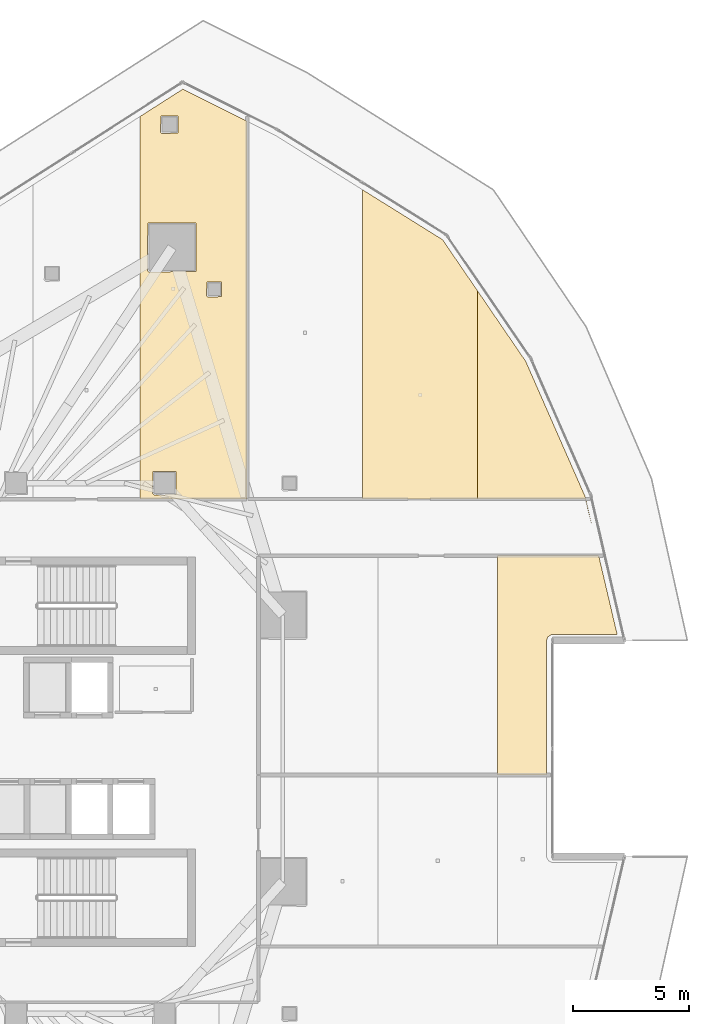
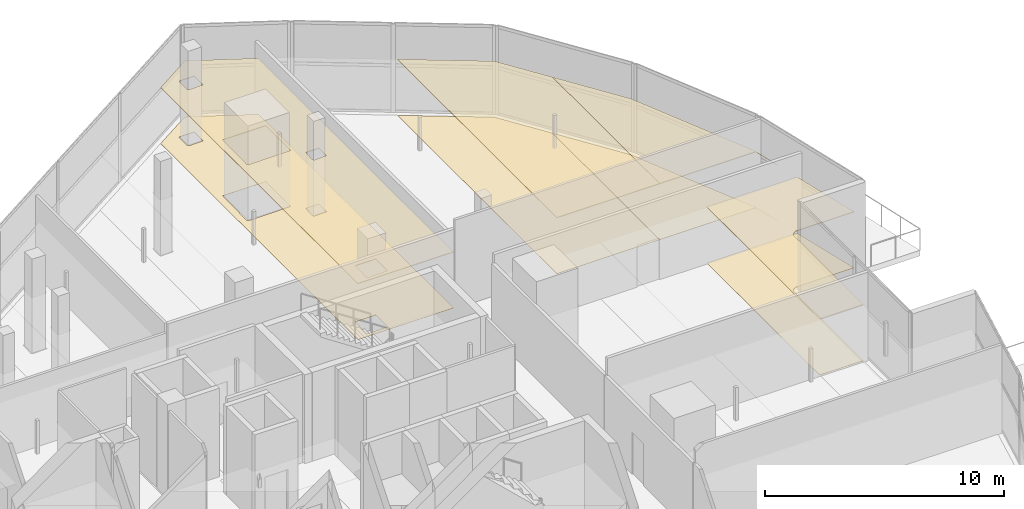
# One storey, part 35 of 36: 8 coverings.
"""IFC4 building model written with IfcOpenShell, lengths in metres."""

from ifc_helpers import new_model, si_unit, direction, frame, origin, place, context, subcontext, project, spatial, polyline, outline, extrude, material, layer, layer_set, type_object, element, save


model = new_model("IFC4")

# Units and contexts
model_context = context("Model", 3, precision=1e-05, world=origin(), true_north=direction((0.0, 1.0)))
body_context = subcontext(model_context, "Body", "Model", "MODEL_VIEW")
ifc_project = project(units=[si_unit("LENGTHUNIT", "METRE"), si_unit("AREAUNIT", "SQUARE_METRE"), si_unit("VOLUMEUNIT", "CUBIC_METRE"), si_unit("PLANEANGLEUNIT", "RADIAN"), si_unit("MASSUNIT", "GRAM", prefix="KILO")], contexts=[model_context])

# Site, building, storey
site_placement = place(None, origin())
site = spatial("IfcSite", under=ifc_project, at=site_placement, CompositionType="ELEMENT")
building_placement = place(site_placement, origin())
building = spatial("IfcBuilding", under=site, at=building_placement, Name="Qorvath Tower", CompositionType="ELEMENT")
storey_placement = place(building_placement, frame((0.0, 0.0, 180.0)))
storey = spatial("IfcBuildingStorey", under=building, at=storey_placement, Name="L41", CompositionType="ELEMENT", Elevation=180.0)

# Coverings
ifc_material_1 = material(Name="Acoustic mineral fibre ceiling tile", Category="gypsum")
ifc_layer_1 = layer(ifc_material_1, 0.030029296875)
ifc_layer_set_1 = layer_set([ifc_layer_1], Name="COV-CEIL")
covering_type_1 = type_object("IfcCoveringType", Name="COV-CEIL", PredefinedType="CEILING", material=ifc_layer_set_1)
covering_1_placement = place(storey_placement, frame((0.0, 0.0, 2.85009765625)))
element("IfcCovering", 1, at=covering_1_placement, inside=storey, type_object=covering_type_1, Name="L41 Suspended Acoustic Ceiling 015", PredefinedType="CEILING", context=body_context, shape_type="SweptSolid", body=[
    extrude(outline(polyline([(-18.25439453125, 27.275146484375), (-18.25439453125, 10.762939453125), (-13.6279296875, 10.762939453125), (-13.6279296875, 27.073974609375), (-16.400390625, 28.460205078125), (-18.25439453125, 27.275146484375)]), holes=[polyline([(-15.381103515625, 19.543212890625), (-15.363525390625, 20.135498046875), (-14.728759765625, 20.135498046875), (-14.728759765625, 19.500732421875), (-15.321044921875, 19.483154296875), (-15.381103515625, 19.543212890625)]), polyline([(-17.931640625, 20.627197265625), (-17.9140625, 22.66943359375), (-15.829345703125, 22.66943359375), (-15.829345703125, 20.584716796875), (-17.87158203125, 20.567138671875), (-17.931640625, 20.627197265625)]), polyline([(-17.3662109375, 26.604248046875), (-17.3486328125, 27.296630859375), (-16.61376953125, 27.296630859375), (-16.61376953125, 26.561767578125), (-17.30615234375, 26.544189453125), (-17.3662109375, 26.604248046875)]), polyline([(-17.7099609375, 11.0), (-17.6923828125, 11.9423828125), (-16.70751953125, 11.9423828125), (-16.70751953125, 10.95751953125), (-17.64990234375, 10.93994140625), (-17.7099609375, 11.0)])]), origin(), (0.0, 0.0, 1.0), 0.030029296875),
])
covering_2_placement = place(storey_placement, frame((0.0, 0.0, 2.85009765625)))
element("IfcCovering", 2, at=covering_2_placement, inside=storey, type_object=covering_type_1, Name="L41 Suspended Acoustic Ceiling 017", PredefinedType="CEILING", context=body_context, shape_type="SweptSolid", body=[
    extrude(outline(polyline([(-3.673583984375, 10.762939453125), (-3.673583984375, 19.73779296875), (-5.192626953125, 21.959228515625), (-8.641845703125, 24.111083984375), (-8.641845703125, 10.762939453125), (-3.673583984375, 10.762939453125)])), origin(), (0.0, 0.0, 1.0), 0.030029296875),
])
covering_3_placement = place(storey_placement, frame((0.0, 0.0, 2.85009765625)))
element("IfcCovering", 3, at=covering_3_placement, inside=storey, type_object=covering_type_1, Name="L41 Suspended Acoustic Ceiling 018", PredefinedType="CEILING", context=body_context, shape_type="SweptSolid", body=[
    extrude(outline(polyline([(0.96728515625, 10.856689453125), (-1.6025390625, 16.708251953125), (-3.673583984375, 19.73779296875), (-3.673583984375, 10.762939453125), (0.97265625, 10.762939453125), (1.29443359375, 9.44580078125), (0.96728515625, 10.856689453125)])), origin(), (0.0, 0.0, 1.0), 0.030029296875),
])
covering_4_placement = place(storey_placement, frame((0.0, 0.0, 2.85009765625)))
element("IfcCovering", 4, at=covering_4_placement, inside=storey, type_object=covering_type_1, Name="L41 Suspended Acoustic Ceiling 027", PredefinedType="CEILING", context=body_context, shape_type="SweptSolid", body=[
    extrude(outline(polyline([(-0.65625, 4.80859375), (-0.494384765625, 4.915771484375), (2.343994140625, 4.920654296875), (1.546630859375, 8.3232421875), (-2.81640625, 8.318359375), (-2.81640625, -1.140380859375), (-0.70068359375, -1.140380859375), (-0.70068359375, 4.66552734375), (-0.65625, 4.80859375)])), origin(), (0.0, 0.0, 1.0), 0.030029296875),
])
ifc_material_2 = material(Name="Low-VOC modular carpet tile", Category="textile")
ifc_layer_2 = layer(ifc_material_2, 0.014892578125)
ifc_layer_set_2 = layer_set([ifc_layer_2], Name="COV-FLOOR-CPT")
covering_type_2 = type_object("IfcCoveringType", Name="COV-FLOOR-CPT", PredefinedType="FLOORING", material=ifc_layer_set_2)
covering_5_placement = place(storey_placement, origin())
element("IfcCovering", 5, at=covering_5_placement, inside=storey, type_object=covering_type_2, Name="L41 Floor Finish 015", PredefinedType="FLOORING", context=body_context, shape_type="SweptSolid", body=[
    extrude(outline(polyline([(-18.25439453125, 27.275146484375), (-18.25439453125, 10.762939453125), (-13.6279296875, 10.762939453125), (-13.6279296875, 27.073974609375), (-16.400390625, 28.460205078125), (-18.25439453125, 27.275146484375)]), holes=[polyline([(-15.381103515625, 19.543212890625), (-15.363525390625, 20.135498046875), (-14.728759765625, 20.135498046875), (-14.728759765625, 19.500732421875), (-15.321044921875, 19.483154296875), (-15.381103515625, 19.543212890625)]), polyline([(-17.931640625, 20.627197265625), (-17.9140625, 22.66943359375), (-15.829345703125, 22.66943359375), (-15.829345703125, 20.584716796875), (-17.87158203125, 20.567138671875), (-17.931640625, 20.627197265625)]), polyline([(-17.3662109375, 26.604248046875), (-17.3486328125, 27.296630859375), (-16.61376953125, 27.296630859375), (-16.61376953125, 26.561767578125), (-17.30615234375, 26.544189453125), (-17.3662109375, 26.604248046875)]), polyline([(-17.7099609375, 11.0), (-17.6923828125, 11.9423828125), (-16.70751953125, 11.9423828125), (-16.70751953125, 10.95751953125), (-17.64990234375, 10.93994140625), (-17.7099609375, 11.0)])]), origin(), (0.0, 0.0, 1.0), 0.014892578125),
])
covering_6_placement = place(storey_placement, origin())
element("IfcCovering", 6, at=covering_6_placement, inside=storey, type_object=covering_type_2, Name="L41 Floor Finish 017", PredefinedType="FLOORING", context=body_context, shape_type="SweptSolid", body=[
    extrude(outline(polyline([(-3.673583984375, 10.762939453125), (-3.673583984375, 19.73779296875), (-5.192626953125, 21.959228515625), (-8.641845703125, 24.111083984375), (-8.641845703125, 10.762939453125), (-3.673583984375, 10.762939453125)])), origin(), (0.0, 0.0, 1.0), 0.014892578125),
])
covering_7_placement = place(storey_placement, origin())
element("IfcCovering", 7, at=covering_7_placement, inside=storey, type_object=covering_type_2, Name="L41 Floor Finish 018", PredefinedType="FLOORING", context=body_context, shape_type="SweptSolid", body=[
    extrude(outline(polyline([(0.96728515625, 10.856689453125), (-1.6025390625, 16.708251953125), (-3.673583984375, 19.73779296875), (-3.673583984375, 10.762939453125), (0.97265625, 10.762939453125), (1.29443359375, 9.44580078125), (0.96728515625, 10.856689453125)])), origin(), (0.0, 0.0, 1.0), 0.014892578125),
])
covering_8_placement = place(storey_placement, origin())
element("IfcCovering", 8, at=covering_8_placement, inside=storey, type_object=covering_type_2, Name="L41 Floor Finish 027", PredefinedType="FLOORING", context=body_context, shape_type="SweptSolid", body=[
    extrude(outline(polyline([(-0.65625, 4.80859375), (-0.494384765625, 4.915771484375), (2.343994140625, 4.920654296875), (1.546630859375, 8.3232421875), (-2.81640625, 8.318359375), (-2.81640625, -1.140380859375), (-0.70068359375, -1.140380859375), (-0.70068359375, 4.66552734375), (-0.65625, 4.80859375)])), origin(), (0.0, 0.0, 1.0), 0.014892578125),
])

save(model, "model.ifc")
